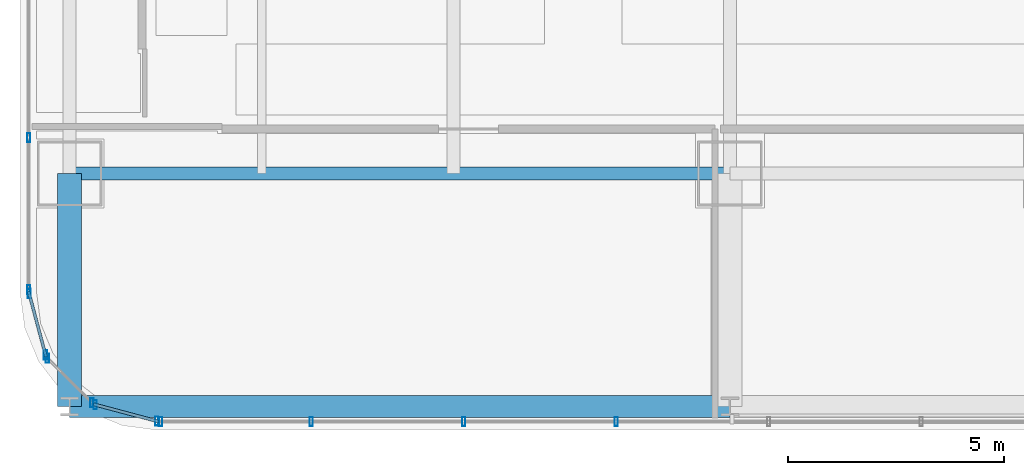
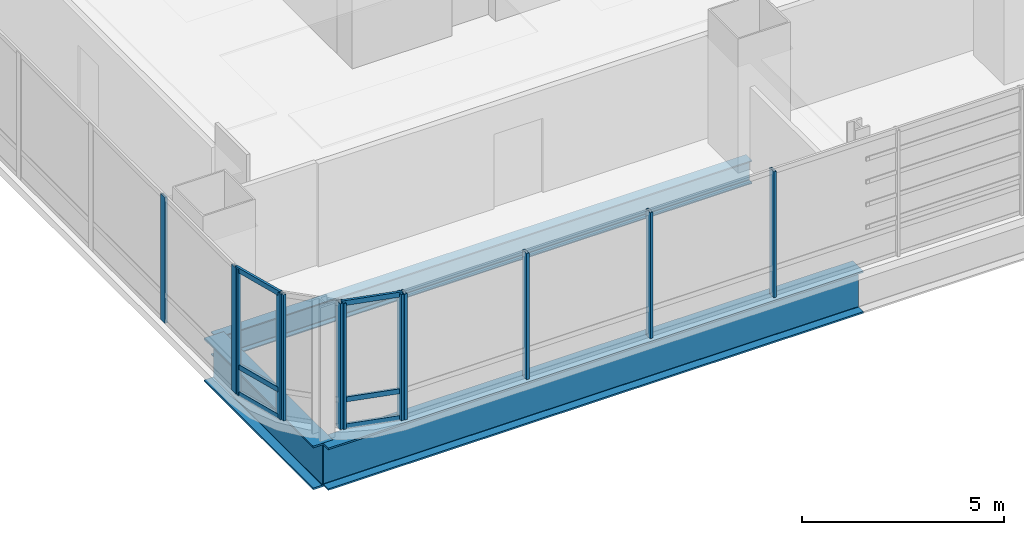
# One storey, part 2 of 35: 18 members, 3 beams, 5 elements without a shape of their own.
"""IFC4 building model written with IfcOpenShell, lengths in metres."""

from ifc_helpers import new_model, si_unit, direction, frame, origin, origin_2d, place, context, subcontext, project, spatial, hollow_rectangle, i_section, extrude, material, material_profile, profile_set, type_object, element, aggregate, save


model = new_model("IFC4")

# Units and contexts
model_context = context("Model", 3, precision=1e-05, world=origin(), true_north=direction((0.0, 1.0)))
body_context = subcontext(model_context, "Body", "Model", "MODEL_VIEW")
ifc_project = project(units=[si_unit("LENGTHUNIT", "METRE"), si_unit("AREAUNIT", "SQUARE_METRE"), si_unit("VOLUMEUNIT", "CUBIC_METRE"), si_unit("PLANEANGLEUNIT", "RADIAN"), si_unit("MASSUNIT", "GRAM", prefix="KILO")], contexts=[model_context])

# Site, building, storey
site_placement = place(None, origin())
site = spatial("IfcSite", under=ifc_project, at=site_placement, CompositionType="ELEMENT")
building_placement = place(site_placement, origin())
building = spatial("IfcBuilding", under=site, at=building_placement, Name="Punatoya Terracotta Tower", CompositionType="ELEMENT")
storey_placement = place(building_placement, frame((0.0, 0.0, 64.64990234375)))
storey = spatial("IfcBuildingStorey", under=building, at=storey_placement, Name="L14", CompositionType="ELEMENT", Elevation=64.64990234375)

# Beams
ifc_material_1 = material(Name="Steel S355", Category="steel")
ifc_material_profile_1 = material_profile(ifc_material_1, i_section(OverallWidth=0.300048828125, OverallDepth=0.699951171875, WebThickness=0.01708984375, FlangeThickness=0.031982421875, FilletRadius=0.01806640625, at=origin_2d()))
ifc_profile_set_1 = profile_set([ifc_material_profile_1], Name="Steel S355")
beam_type_1 = type_object("IfcBeamType", Name="BM-PRI-700", PredefinedType="BEAM", material=ifc_profile_set_1)
beam_1_placement = place(storey_placement, frame((-19.10009765625, -17.5, -0.58984375), z_axis=(1.0, 0.0, 0.0), x_axis=(0.0, 1.0, 0.0)))
element("IfcBeam", 1, at=beam_1_placement, inside=storey, type_object=beam_type_1, Name="BM-L14-RG-S1", PredefinedType="BEAM", context=body_context, shape_type="SweptSolid", body=[
    extrude(i_section(OverallWidth=0.300048828125, OverallDepth=0.699951171875, WebThickness=0.01708984375, FlangeThickness=0.031982421875, FilletRadius=0.01806640625, at=origin_2d()), origin(), (0.0, 0.0, 1.0), 15.300048828125),
])
ifc_material_2 = material(Name="Steel S460", Category="steel")
ifc_material_profile_2 = material_profile(ifc_material_2, i_section(OverallWidth=0.56005859375, OverallDepth=1.320068359375, WebThickness=0.035888671875, FlangeThickness=0.054931640625, FilletRadius=0.01806640625, at=origin_2d()))
ifc_profile_set_2 = profile_set([ifc_material_profile_2], Name="Steel S460")
beam_type_2 = type_object("IfcBeamType", Name="BM-TG-BLK", PredefinedType="BEAM", material=ifc_profile_set_2)
beam_2_placement = place(storey_placement, frame((-19.10009765625, -22.89990234375, -0.89990234375), z_axis=(0.0, 1.0, 0.0), x_axis=(-1.0, 0.0, 0.0)))
element("IfcBeam", 2, at=beam_2_placement, inside=storey, type_object=beam_type_2, Name="BM-L14-CANT-S1", PredefinedType="BEAM", context=body_context, shape_type="SweptSolid", body=[
    extrude(i_section(OverallWidth=0.56005859375, OverallDepth=1.320068359375, WebThickness=0.035888671875, FlangeThickness=0.054931640625, FilletRadius=0.01806640625, at=origin_2d()), origin(), (0.0, 0.0, 1.0), 5.39990234375),
])
ifc_material_profile_3 = material_profile(ifc_material_2, i_section(OverallWidth=0.52001953125, OverallDepth=1.280029296875, WebThickness=0.031982421875, FlangeThickness=0.050048828125, FilletRadius=0.01806640625, at=origin_2d()))
ifc_profile_set_3 = profile_set([ifc_material_profile_3], Name="Steel S460")
beam_type_3 = type_object("IfcBeamType", Name="BM-TG-NCK", PredefinedType="BEAM", material=ifc_profile_set_3)
beam_3_placement = place(storey_placement, frame((-19.10009765625, -22.89990234375, -0.8798828125), z_axis=(1.0, 0.0, 0.0), x_axis=(0.0, 1.0, 0.0)))
element("IfcBeam", 3, at=beam_3_placement, inside=storey, type_object=beam_type_3, Name="BM-L14-PER-S1", PredefinedType="BEAM", context=body_context, shape_type="SweptSolid", body=[
    extrude(i_section(OverallWidth=0.52001953125, OverallDepth=1.280029296875, WebThickness=0.031982421875, FlangeThickness=0.050048828125, FilletRadius=0.01806640625, at=origin_2d()), origin(), (0.0, 0.0, 1.0), 15.300048828125),
])

# Curtain wall, members
ifc_material_3 = material(Name="Aluminium 6063-T6 + Double Low-E Glass", Category="aluminium")
curtain_wall_type = type_object("IfcCurtainWallType", Name="CW-M1", PredefinedType="NOTDEFINED", material=ifc_material_3)
curtain_wall_1_placement = place(storey_placement, origin())
curtain_wall_1 = element("IfcCurtainWall", 4, at=curtain_wall_1_placement, inside=storey, type_object=curtain_wall_type, Name="L14 Curtain Wall CW-L14-S01-1", PredefinedType="NOTDEFINED")
ifc_material_4 = material(Name="Aluminium 6063-T6", Category="aluminium")
ifc_material_profile_4 = material_profile(ifc_material_4, hollow_rectangle(XDim=0.074951171875, YDim=0.2099609375, WallThickness=0.00439453125, at=origin_2d()))
ifc_profile_set_4 = profile_set([ifc_material_profile_4], Name="Aluminium 6063-T6")
member_type_1 = type_object("IfcMemberType", Name="CW-MUL-M1", PredefinedType="MULLION", material=ifc_profile_set_4)
member_1_placement = place(storey_placement, frame((-16.991943359375, -23.25, 0.0), z_axis=(0.0, 0.0, 1.0), x_axis=(1.0, 0.0, 0.0)))
member_1 = element("IfcMember", 5, at=member_1_placement, type_object=member_type_1, Name="CW-L14-S01-1 Mullion 00", PredefinedType="MULLION", context=body_context, shape_type="SweptSolid", body=[
    extrude(hollow_rectangle(XDim=0.074951171875, YDim=0.2099609375, WallThickness=0.00439453125, at=origin_2d()), origin(), (0.0, 0.0, 1.0), 3.81005859375),
])
member_2_placement = place(storey_placement, frame((-13.5029296875, -23.25, 0.0), z_axis=(0.0, 0.0, 1.0), x_axis=(1.0, 0.0, 0.0)))
member_2 = element("IfcMember", 6, at=member_2_placement, type_object=member_type_1, Name="CW-L14-S01-1 Mullion 01", PredefinedType="MULLION", context=body_context, shape_type="SweptSolid", body=[
    extrude(hollow_rectangle(XDim=0.074951171875, YDim=0.2099609375, WallThickness=0.00439453125, at=origin_2d()), origin(), (0.0, 0.0, 1.0), 3.81005859375),
])
member_3_placement = place(storey_placement, frame((-9.968994140625, -23.25, 0.0), z_axis=(0.0, 0.0, 1.0), x_axis=(1.0, 0.0, 0.0)))
member_3 = element("IfcMember", 7, at=member_3_placement, type_object=member_type_1, Name="CW-L14-S01-1 Mullion 02", PredefinedType="MULLION", context=body_context, shape_type="SweptSolid", body=[
    extrude(hollow_rectangle(XDim=0.074951171875, YDim=0.2099609375, WallThickness=0.00439453125, at=origin_2d()), origin(), (0.0, 0.0, 1.0), 3.81005859375),
])
member_4_placement = place(storey_placement, frame((-6.43505859375, -23.25, 0.0), z_axis=(0.0, 0.0, 1.0), x_axis=(1.0, 0.0, 0.0)))
member_4 = element("IfcMember", 8, at=member_4_placement, type_object=member_type_1, Name="CW-L14-S01-1 Mullion 03", PredefinedType="MULLION", context=body_context, shape_type="SweptSolid", body=[
    extrude(hollow_rectangle(XDim=0.074951171875, YDim=0.2099609375, WallThickness=0.00439453125, at=origin_2d()), origin(), (0.0, 0.0, 1.0), 3.81005859375),
])
aggregate(curtain_wall_1, [member_1, member_2, member_3, member_4])

curtain_wall_2_placement = place(storey_placement, origin())
curtain_wall_2 = element("IfcCurtainWall", 9, at=curtain_wall_2_placement, inside=storey, type_object=curtain_wall_type, Name="L14 Curtain Wall CW-L14-W13-1", PredefinedType="NOTDEFINED")
member_5_placement = place(storey_placement, frame((-20.050048828125, -16.66943359375, 0.0), z_axis=(0.0, 0.0, 1.0), x_axis=(1.0, 0.0, 0.0)))
member_5 = element("IfcMember", 10, at=member_5_placement, type_object=member_type_1, Name="CW-L14-W13-1 Mullion 09", PredefinedType="MULLION", context=body_context, shape_type="SweptSolid", body=[
    extrude(hollow_rectangle(XDim=0.074951171875, YDim=0.2099609375, WallThickness=0.00439453125, at=origin_2d()), origin(), (0.0, 0.0, 1.0), 3.81005859375),
])
member_6_placement = place(storey_placement, frame((-20.050048828125, -20.19189453125, 0.0), z_axis=(0.0, 0.0, 1.0), x_axis=(1.0, 0.0, 0.0)))
member_6 = element("IfcMember", 11, at=member_6_placement, type_object=member_type_1, Name="CW-L14-W13-1 Mullion 10", PredefinedType="MULLION", context=body_context, shape_type="SweptSolid", body=[
    extrude(hollow_rectangle(XDim=0.074951171875, YDim=0.2099609375, WallThickness=0.00439453125, at=origin_2d()), origin(), (0.0, 0.0, 1.0), 3.81005859375),
])
aggregate(curtain_wall_2, [member_5, member_6])

curtain_wall_3_placement = place(storey_placement, origin())
curtain_wall_3 = element("IfcCurtainWall", 12, at=curtain_wall_3_placement, inside=storey, type_object=curtain_wall_type, Name="L14 Curtain Wall CW-L14-CRN14", PredefinedType="NOTDEFINED")
member_7_placement = place(storey_placement, frame((-20.038330078125, -20.280517578125, 0.0), z_axis=(0.0, 0.0, 1.0), x_axis=(1.0, 0.0, 0.0)))
member_7 = element("IfcMember", 13, at=member_7_placement, type_object=member_type_1, Name="CW-L14-CRN14 Mullion 00", PredefinedType="MULLION", context=body_context, shape_type="SweptSolid", body=[
    extrude(hollow_rectangle(XDim=0.074951171875, YDim=0.2099609375, WallThickness=0.00439453125, at=origin_2d()), origin(), (0.0, 0.0, 1.0), 3.81005859375),
])
member_8_placement = place(storey_placement, frame((-19.658203125, -21.70556640625, 0.0), z_axis=(0.0, 0.0, 1.0), x_axis=(1.0, 0.0, 0.0)))
member_8 = element("IfcMember", 14, at=member_8_placement, type_object=member_type_1, Name="CW-L14-CRN14 Mullion 01", PredefinedType="MULLION", context=body_context, shape_type="SweptSolid", body=[
    extrude(hollow_rectangle(XDim=0.074951171875, YDim=0.2099609375, WallThickness=0.00439453125, at=origin_2d()), origin(), (0.0, 0.0, 1.0), 3.81005859375),
])

curtain_wall_4_placement = place(storey_placement, origin())
curtain_wall_4 = element("IfcCurtainWall", 15, at=curtain_wall_4_placement, inside=storey, type_object=curtain_wall_type, Name="L14 Curtain Wall CW-L14-CRN15", PredefinedType="NOTDEFINED")
member_9_placement = place(storey_placement, frame((-19.61474609375, -21.781005859375, 0.0), z_axis=(0.0, 0.0, 1.0), x_axis=(1.0, 0.0, 0.0)))
member_9 = element("IfcMember", 16, at=member_9_placement, type_object=member_type_1, Name="CW-L14-CRN15 Mullion 00", PredefinedType="MULLION", context=body_context, shape_type="SweptSolid", body=[
    extrude(hollow_rectangle(XDim=0.074951171875, YDim=0.2099609375, WallThickness=0.00439453125, at=origin_2d()), origin(), (0.0, 0.0, 1.0), 3.81005859375),
])
member_10_placement = place(storey_placement, frame((-18.580810546875, -22.814697265625, 0.0), z_axis=(0.0, 0.0, 1.0), x_axis=(1.0, 0.0, 0.0)))
member_10 = element("IfcMember", 17, at=member_10_placement, type_object=member_type_1, Name="CW-L14-CRN15 Mullion 01", PredefinedType="MULLION", context=body_context, shape_type="SweptSolid", body=[
    extrude(hollow_rectangle(XDim=0.074951171875, YDim=0.2099609375, WallThickness=0.00439453125, at=origin_2d()), origin(), (0.0, 0.0, 1.0), 3.81005859375),
])
aggregate(curtain_wall_4, [member_9, member_10])

curtain_wall_5_placement = place(storey_placement, origin())
curtain_wall_5 = element("IfcCurtainWall", 18, at=curtain_wall_5_placement, inside=storey, type_object=curtain_wall_type, Name="L14 Curtain Wall CW-L14-CRN16", PredefinedType="NOTDEFINED")
member_11_placement = place(storey_placement, frame((-18.505615234375, -22.858154296875, 0.0), z_axis=(0.0, 0.0, 1.0), x_axis=(1.0, 0.0, 0.0)))
member_11 = element("IfcMember", 19, at=member_11_placement, type_object=member_type_1, Name="CW-L14-CRN16 Mullion 00", PredefinedType="MULLION", context=body_context, shape_type="SweptSolid", body=[
    extrude(hollow_rectangle(XDim=0.074951171875, YDim=0.2099609375, WallThickness=0.00439453125, at=origin_2d()), origin(), (0.0, 0.0, 1.0), 3.81005859375),
])
member_12_placement = place(storey_placement, frame((-17.080322265625, -23.23828125, 0.0), z_axis=(0.0, 0.0, 1.0), x_axis=(1.0, 0.0, 0.0)))
member_12 = element("IfcMember", 20, at=member_12_placement, type_object=member_type_1, Name="CW-L14-CRN16 Mullion 01", PredefinedType="MULLION", context=body_context, shape_type="SweptSolid", body=[
    extrude(hollow_rectangle(XDim=0.074951171875, YDim=0.2099609375, WallThickness=0.00439453125, at=origin_2d()), origin(), (0.0, 0.0, 1.0), 3.81005859375),
])

# Member
ifc_material_profile_5 = material_profile(ifc_material_4, hollow_rectangle(XDim=0.068115234375, YDim=0.14990234375, WallThickness=0.00390625, at=origin_2d()))
ifc_profile_set_5 = profile_set([ifc_material_profile_5], Name="Aluminium 6063-T6")
member_type_2 = type_object("IfcMemberType", Name="CW-TRN-TYP", PredefinedType="USERDEFINED", material=ifc_profile_set_5)
member_13_placement = place(storey_placement, frame((-20.050048828125, -20.23681640625, 0.0400390625), z_axis=(0.257847112249, -0.966185730957, 0.0), x_axis=(0.966185730957, 0.257847112249, 0.0)))
member_13 = element("IfcMember", 21, at=member_13_placement, type_object=member_type_2, Name="CW-L14-CRN14 Transom 1", ObjectType="TRANSOM", PredefinedType="USERDEFINED", context=body_context, shape_type="SweptSolid", body=[
    extrude(hollow_rectangle(XDim=0.068115234375, YDim=0.14990234375, WallThickness=0.00390625, at=origin_2d()), origin(), (0.0, 0.0, 1.0), 1.565185546875),
])

member_14_placement = place(storey_placement, frame((-20.050048828125, -20.23681640625, 0.85009765625), z_axis=(0.257847112249, -0.966185730957, 0.0), x_axis=(0.966185730957, 0.257847112249, 0.0)))
member_14 = element("IfcMember", 22, at=member_14_placement, type_object=member_type_2, Name="CW-L14-CRN14 Transom 2", ObjectType="TRANSOM", PredefinedType="USERDEFINED", context=body_context, shape_type="SweptSolid", body=[
    extrude(hollow_rectangle(XDim=0.068115234375, YDim=0.14990234375, WallThickness=0.00390625, at=origin_2d()), origin(), (0.0, 0.0, 1.0), 1.565185546875),
])

member_15_placement = place(storey_placement, frame((-20.050048828125, -20.23681640625, 3.77001953125), z_axis=(0.257847112249, -0.966185730957, 0.0), x_axis=(0.966185730957, 0.257847112249, 0.0)))
member_15 = element("IfcMember", 23, at=member_15_placement, type_object=member_type_2, Name="CW-L14-CRN14 Transom 3", ObjectType="TRANSOM", PredefinedType="USERDEFINED", context=body_context, shape_type="SweptSolid", body=[
    extrude(hollow_rectangle(XDim=0.068115234375, YDim=0.14990234375, WallThickness=0.00390625, at=origin_2d()), origin(), (0.0, 0.0, 1.0), 1.565185546875),
])

aggregate(curtain_wall_3, [member_7, member_8, member_13, member_14, member_15])

member_16_placement = place(storey_placement, frame((-18.549072265625, -22.8466796875, 0.0400390625), z_axis=(0.966224582397, -0.257701486942, 0.0), x_axis=(0.257701486942, 0.966224582397, 0.0)))
member_16 = element("IfcMember", 24, at=member_16_placement, type_object=member_type_2, Name="CW-L14-CRN16 Transom 1", ObjectType="TRANSOM", PredefinedType="USERDEFINED", context=body_context, shape_type="SweptSolid", body=[
    extrude(hollow_rectangle(XDim=0.068115234375, YDim=0.14990234375, WallThickness=0.00390625, at=origin_2d()), origin(), (0.0, 0.0, 1.0), 1.565185546875),
])

member_17_placement = place(storey_placement, frame((-18.549072265625, -22.8466796875, 0.85009765625), z_axis=(0.966224582397, -0.257701486942, 0.0), x_axis=(0.257701486942, 0.966224582397, 0.0)))
member_17 = element("IfcMember", 25, at=member_17_placement, type_object=member_type_2, Name="CW-L14-CRN16 Transom 2", ObjectType="TRANSOM", PredefinedType="USERDEFINED", context=body_context, shape_type="SweptSolid", body=[
    extrude(hollow_rectangle(XDim=0.068115234375, YDim=0.14990234375, WallThickness=0.00390625, at=origin_2d()), origin(), (0.0, 0.0, 1.0), 1.565185546875),
])

member_18_placement = place(storey_placement, frame((-18.549072265625, -22.8466796875, 3.77001953125), z_axis=(0.966224582397, -0.257701486942, 0.0), x_axis=(0.257701486942, 0.966224582397, 0.0)))
member_18 = element("IfcMember", 26, at=member_18_placement, type_object=member_type_2, Name="CW-L14-CRN16 Transom 3", ObjectType="TRANSOM", PredefinedType="USERDEFINED", context=body_context, shape_type="SweptSolid", body=[
    extrude(hollow_rectangle(XDim=0.068115234375, YDim=0.14990234375, WallThickness=0.00390625, at=origin_2d()), origin(), (0.0, 0.0, 1.0), 1.565185546875),
])

aggregate(curtain_wall_5, [member_11, member_12, member_16, member_17, member_18])

save(model, "model.ifc")
